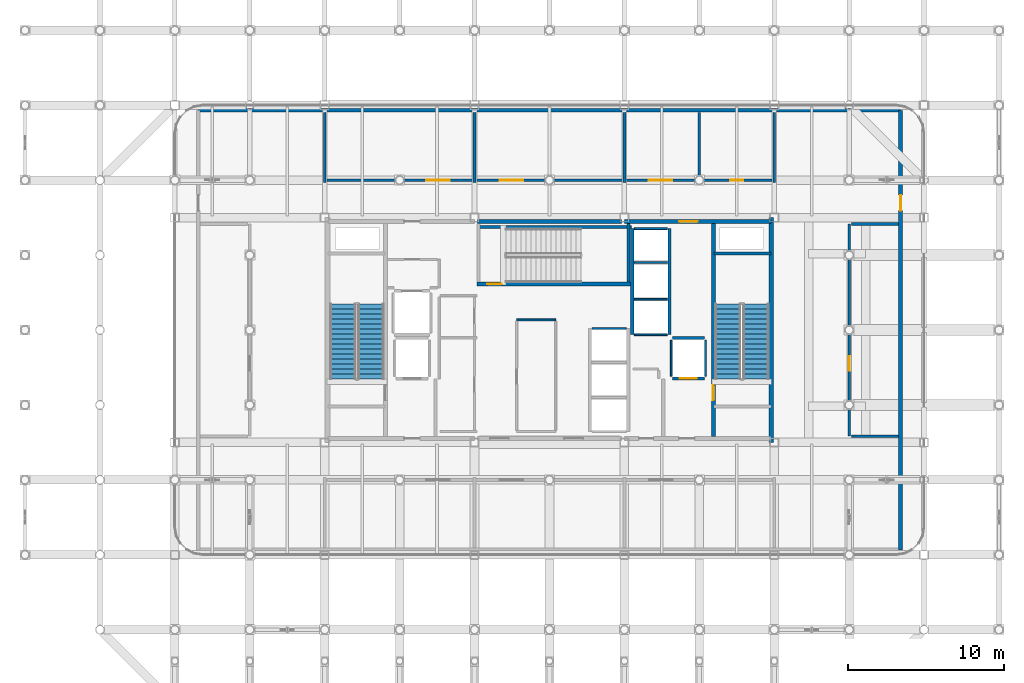
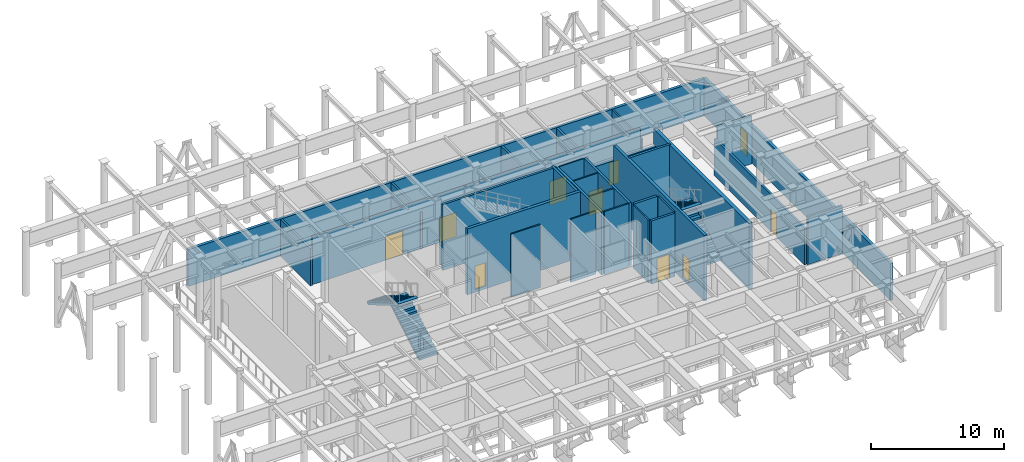
# One storey, part 15 of 20: 31 walls, 10 doors, 4 stair flights, 10 openings, 2 elements without a shape of their own.
"""IFC4 building model written with IfcOpenShell, lengths in metres."""

from ifc_helpers import new_model, si_unit, direction, frame, frame_2d, origin, place, context, subcontext, project, spatial, polyline, rectangle, outline, extrude, material, layer, layer_set, type_object, element, fill, aggregate, save


model = new_model("IFC4")

# Units and contexts
model_context = context("Model", 3, precision=1e-05, world=origin(), true_north=direction((0.0, 1.0)))
body_context = subcontext(model_context, "Body", "Model", "MODEL_VIEW")
ifc_project = project(units=[si_unit("LENGTHUNIT", "METRE"), si_unit("AREAUNIT", "SQUARE_METRE"), si_unit("VOLUMEUNIT", "CUBIC_METRE"), si_unit("PLANEANGLEUNIT", "RADIAN"), si_unit("MASSUNIT", "GRAM", prefix="KILO")], contexts=[model_context])

# Site, building, storey
site_placement = place(None, origin())
site = spatial("IfcSite", under=ifc_project, at=site_placement, CompositionType="ELEMENT")
building_placement = place(site_placement, origin())
building = spatial("IfcBuilding", under=site, at=building_placement, Name="Kallvorn Hotel Tower", CompositionType="ELEMENT")
storey_placement = place(building_placement, frame((0.0, 0.0, 276.199951171875)))
storey = spatial("IfcBuildingStorey", under=building, at=storey_placement, Name="L69", CompositionType="ELEMENT", Elevation=276.199951171875)

# Walls
ifc_material_1 = material(Name="Concrete C50/60", Category="concrete")
ifc_layer_1 = layer(ifc_material_1, 0.300048828125)
ifc_layer_set_1 = layer_set([ifc_layer_1], Name="WL_CORE_300")
wall_type_1 = type_object("IfcWallType", Name="WL_CORE_300", PredefinedType="SHEAR", material=ifc_layer_set_1)
wall_1_placement = place(storey_placement, frame((14.215087890625, -7.199951171875, -0.25), z_axis=(0.0, 0.0, 1.0), x_axis=(0.0, 1.0, 0.0)))
element("IfcWall", 1, at=wall_1_placement, inside=storey, type_object=wall_type_1, Name="L69 Core East Shear Wall", PredefinedType="SHEAR", context=body_context, shape_type="SweptSolid", body=[
    extrude(rectangle(XDim=14.39990234375, YDim=0.300048828125, at=frame_2d((7.199951171875, 0.0))), origin(), (0.0, 0.0, 1.0), 6.050048828125),
])
ifc_material_2 = material(Name="Fire-rated double-layer acoustic gypsum drywall EI 60")
ifc_layer_2 = layer(ifc_material_2, 0.179931640625)
ifc_layer_set_2 = layer_set([ifc_layer_2], Name="WL_CORR_180")
wall_type_2 = type_object("IfcWallType", Name="WL_CORR_180", PredefinedType="PARTITIONING", material=ifc_layer_set_2)
for number, where, z_axis, x_axis, name in (
    (2, (19.35009765625, -6.800048828125, 0.0), (0.0, 0.0, 1.0), (1.0, 0.0, 0.0), "L69 L69 Pressurised Fire Refuge Area East Partition"),
    (3, (19.35009765625, 6.800048828125, 0.0), (0.0, 0.0, 1.0), (1.0, 0.0, 0.0), "L69 L69 Pressurised Fire Refuge Area East Partition"),
):
    element("IfcWall", number, at=place(storey_placement, frame(where, z_axis=z_axis, x_axis=x_axis)), inside=storey, type_object=wall_type_2, Name=name, PredefinedType="PARTITIONING", context=body_context, shape_type="SweptSolid", body=[
        extrude(rectangle(XDim=3.014892578125, YDim=0.179931640625, at=frame_2d((1.50732421875, 0.0))), origin(), (0.0, 0.0, 1.0), 4.400146484375),
    ])

# Wall, openings, doors
wall_2_placement = place(storey_placement, frame((-14.25, 9.60009765625, 0.0), z_axis=(0.0, 0.0, 1.0), x_axis=(1.0, 0.0, 0.0)))
wall_2 = element("IfcWall", 4, at=wall_2_placement, inside=storey, type_object=wall_type_2, Name="L69 L69 Domestic and Fire Break-Tank Pump Room Partition", PredefinedType="PARTITIONING", context=body_context, shape_type="SweptSolid", body=[
    extrude(rectangle(XDim=28.5, YDim=0.179931640625, at=frame_2d((14.25, 0.0))), origin(), (0.0, 0.0, 1.0), 4.400146484375),
])
opening_1_placement = place(wall_2_placement, frame((6.35400390625, 0.0, 0.0)))
opening_1 = element("IfcOpeningElement", 5, at=opening_1_placement, cuts=wall_2, Name="Opening PD1", PredefinedType="OPENING", context=body_context, shape_type="SweptSolid", body=[
    extrude(rectangle(XDim=1.5, YDim=2.199951171875, at=frame_2d((0.75, 1.10009765625))), frame((0.0, 0.104736328125, 0.0), z_axis=(0.0, -1.0, 0.0), x_axis=(1.0, 0.0, 0.0)), (0.0, 0.0, 1.0), 0.2099609375),
])
opening_2_placement = place(wall_2_placement, frame((11.056396484375, 0.0, 0.0)))
opening_2 = element("IfcOpeningElement", 6, at=opening_2_placement, cuts=wall_2, Name="Opening PD1", PredefinedType="OPENING", context=body_context, shape_type="SweptSolid", body=[
    extrude(rectangle(XDim=1.5, YDim=2.199951171875, at=frame_2d((0.75, 1.10009765625))), frame((0.0, 0.104736328125, 0.0), z_axis=(0.0, -1.0, 0.0), x_axis=(1.0, 0.0, 0.0)), (0.0, 0.0, 1.0), 0.2099609375),
])
opening_3_placement = place(wall_2_placement, frame((20.6181640625, 0.0, 0.0)))
opening_3 = element("IfcOpeningElement", 7, at=opening_3_placement, cuts=wall_2, Name="Opening PD1", PredefinedType="OPENING", context=body_context, shape_type="SweptSolid", body=[
    extrude(rectangle(XDim=1.5, YDim=2.199951171875, at=frame_2d((0.75, 1.10009765625))), frame((0.0, 0.104736328125, 0.0), z_axis=(0.0, -1.0, 0.0), x_axis=(1.0, 0.0, 0.0)), (0.0, 0.0, 1.0), 0.2099609375),
])
opening_4_placement = place(wall_2_placement, frame((25.820068359375, 0.0, 0.0)))
opening_4 = element("IfcOpeningElement", 8, at=opening_4_placement, cuts=wall_2, Name="Opening BD-I", PredefinedType="OPENING", context=body_context, shape_type="SweptSolid", body=[
    extrude(rectangle(XDim=0.860107421875, YDim=2.10009765625, at=frame_2d((0.43017578125, 1.050048828125))), frame((0.0, 0.104736328125, 0.0), z_axis=(0.0, -1.0, 0.0), x_axis=(1.0, 0.0, 0.0)), (0.0, 0.0, 1.0), 0.2099609375),
])
ifc_material_3 = material(Name="Solid-core walnut veneer fire-rated timber door leaf", Category="wood")
door_type_1 = type_object("IfcDoorType", Name="DR_BATH_860x2100", OperationType="NOTDEFINED", PredefinedType="DOOR", material=ifc_material_3)
door_1_placement = place(opening_4_placement, origin())
door_1 = element("IfcDoor", 9, at=door_1_placement, inside=storey, type_object=door_type_1, Name="L69 L69 Refuge Accessible WC Door", OperationType="SINGLE_SWING_LEFT", OverallHeight=2.10009765625, OverallWidth=0.860107421875, PredefinedType="DOOR", context=body_context, shape_type="SweptSolid", body=[
    extrude(rectangle(XDim=0.860107421875, YDim=2.10009765625, at=frame_2d((0.43017578125, 1.050048828125))), frame((0.0, 0.02490234375, 0.0), z_axis=(0.0, -1.0, 0.0), x_axis=(1.0, 0.0, 0.0)), (0.0, 0.0, 1.0), 0.050048828125),
])
fill(opening_4, door_1)
ifc_material_4 = material(Name="Galvanised painted steel fire-rated door assembly", Category="steel")
door_type_2 = type_object("IfcDoorType", Name="DR_PLANT_1500x2200", OperationType="DOUBLE_DOOR_SINGLE_SWING", PredefinedType="DOOR", material=ifc_material_4)
door_2_placement = place(opening_1_placement, origin())
door_2 = element("IfcDoor", 10, at=door_2_placement, inside=storey, type_object=door_type_2, Name="L69 L69 Domestic and Fire Break-Tank Pump Room Door", OperationType="DOUBLE_DOOR_SINGLE_SWING", OverallHeight=2.199951171875, OverallWidth=1.5, PredefinedType="DOOR", context=body_context, shape_type="SweptSolid", body=[
    extrude(rectangle(XDim=1.5, YDim=2.199951171875, at=frame_2d((0.75, 1.10009765625))), frame((0.0, 0.02490234375, 0.0), z_axis=(0.0, -1.0, 0.0), x_axis=(1.0, 0.0, 0.0)), (0.0, 0.0, 1.0), 0.050048828125),
])
fill(opening_1, door_2)
door_3_placement = place(opening_2_placement, origin())
door_3 = element("IfcDoor", 11, at=door_3_placement, inside=storey, type_object=door_type_2, Name="L69 L69 Venturi Turbine Inverter and Switchgear Room Door", OperationType="DOUBLE_DOOR_SINGLE_SWING", OverallHeight=2.199951171875, OverallWidth=1.5, PredefinedType="DOOR", context=body_context, shape_type="SweptSolid", body=[
    extrude(rectangle(XDim=1.5, YDim=2.199951171875, at=frame_2d((0.75, 1.10009765625))), frame((0.0, 0.02490234375, 0.0), z_axis=(0.0, -1.0, 0.0), x_axis=(1.0, 0.0, 0.0)), (0.0, 0.0, 1.0), 0.050048828125),
])
fill(opening_2, door_3)
door_4_placement = place(opening_3_placement, origin())
door_4 = element("IfcDoor", 12, at=door_4_placement, inside=storey, type_object=door_type_2, Name="L69 L69 Smoke Control and BMS Plant Room Door", OperationType="DOUBLE_DOOR_SINGLE_SWING", OverallHeight=2.199951171875, OverallWidth=1.5, PredefinedType="DOOR", context=body_context, shape_type="SweptSolid", body=[
    extrude(rectangle(XDim=1.5, YDim=2.199951171875, at=frame_2d((0.75, 1.10009765625))), frame((0.0, 0.02490234375, 0.0), z_axis=(0.0, -1.0, 0.0), x_axis=(1.0, 0.0, 0.0)), (0.0, 0.0, 1.0), 0.050048828125),
])
fill(opening_3, door_4)

# Walls
for number, where, z_axis, x_axis, name in (
    (13, (-14.39990234375, 9.449951171875, 0.0), (0.0, 0.0, 1.0), (0.0, 1.0, 0.0), "L69 L69 Domestic and Fire Break-Tank Pump Room Partition"),
    (14, (-4.800048828125, 9.449951171875, 0.0), (0.0, 0.0, 1.0), (0.0, 1.0, 0.0), "L69 L69 Domestic and Fire Break-Tank Pump Room Partition"),
    (15, (4.800048828125, 9.449951171875, 0.0), (0.0, 0.0, 1.0), (0.0, 1.0, 0.0), "L69 L69 Smoke Control and BMS Plant Room Partition"),
    (16, (9.60009765625, 9.449951171875, 0.0), (0.0, 0.0, 1.0), (0.0, 1.0, 0.0), "L69 L69 Smoke Control and BMS Plant Room Partition"),
):
    element("IfcWall", number, at=place(storey_placement, frame(where, z_axis=z_axis, x_axis=x_axis)), inside=storey, type_object=wall_type_2, Name=name, PredefinedType="PARTITIONING", context=body_context, shape_type="SweptSolid", body=[
        extrude(rectangle(XDim=4.4951171875, YDim=0.179931640625, at=frame_2d((2.24755859375, 0.0))), origin(), (0.0, 0.0, 1.0), 3.400146484375),
    ])

# Wall, opening, door
wall_3_placement = place(storey_placement, frame((19.199951171875, -6.800048828125, 0.0), z_axis=(0.0, 0.0, 1.0), x_axis=(0.0, 1.0, 0.0)))
wall_3 = element("IfcWall", 17, at=wall_3_placement, inside=storey, type_object=wall_type_2, Name="L69 L69 Pressurised Fire Refuge Area East Partition", PredefinedType="PARTITIONING", context=body_context, shape_type="SweptSolid", body=[
    extrude(rectangle(XDim=13.60009765625, YDim=0.179931640625, at=frame_2d((6.800048828125, 0.0))), origin(), (0.0, 0.0, 1.0), 3.400146484375),
])
opening_5_placement = place(wall_3_placement, frame((4.20703125, 0.0, 0.0)))
opening_5 = element("IfcOpeningElement", 18, at=opening_5_placement, cuts=wall_3, Name="Opening SVD1", PredefinedType="OPENING", context=body_context, shape_type="SweptSolid", body=[
    extrude(rectangle(XDim=0.89990234375, YDim=2.10009765625, at=frame_2d((0.449951171875, 1.050048828125))), frame((0.0, 0.104736328125, 0.0), z_axis=(0.0, -1.0, 0.0), x_axis=(1.0, 0.0, 0.0)), (0.0, 0.0, 1.0), 0.2099609375),
])
ifc_material_5 = material(Name="Galvanised painted steel fire-rated door assembly", Category="steel")
door_type_3 = type_object("IfcDoorType", Name="DR_SERV_900x2100", OperationType="NOTDEFINED", PredefinedType="DOOR", material=ifc_material_5)
door_5_placement = place(opening_5_placement, origin())
door_5 = element("IfcDoor", 19, at=door_5_placement, inside=storey, type_object=door_type_3, Name="L69 L69 Pressurised Fire Refuge Area East Door", OperationType="SINGLE_SWING_RIGHT", OverallHeight=2.10009765625, OverallWidth=0.89990234375, PredefinedType="DOOR", context=body_context, shape_type="SweptSolid", body=[
    extrude(rectangle(XDim=0.89990234375, YDim=2.10009765625, at=frame_2d((0.449951171875, 1.050048828125))), frame((0.0, 0.02490234375, 0.0), z_axis=(0.0, -1.0, 0.0), x_axis=(1.0, 0.0, 0.0)), (0.0, 0.0, 1.0), 0.050048828125),
])
fill(opening_5, door_5)

# Wall
ifc_material_6 = material(Name="Precast basalt-clad insulated concrete wall C40/50", Category="masonry")
ifc_layer_3 = layer(ifc_material_6, 0.25)
ifc_layer_set_3 = layer_set([ifc_layer_3], Name="WL_EXT_HUB_250")
wall_type_3 = type_object("IfcWallType", Name="WL_EXT_HUB_250", PredefinedType="SOLIDWALL", material=ifc_layer_set_3)
wall_4_placement = place(storey_placement, frame((-22.5, 14.080078125, 0.0), z_axis=(0.0, 0.0, 1.0), x_axis=(1.0, 0.0, 0.0)))
element("IfcWall", 20, at=wall_4_placement, inside=storey, type_object=wall_type_3, Name="L69 Wind-Hub Acoustic Enclosure Wall N", PredefinedType="SOLIDWALL", context=body_context, shape_type="SweptSolid", body=[
    extrude(rectangle(XDim=45.0, YDim=0.25, at=frame_2d((22.5, 0.0))), origin(), (0.0, 0.0, 1.0), 3.400146484375),
])

# Wall, opening, door
wall_5_placement = place(storey_placement, frame((22.5, 14.080078125, 0.0), z_axis=(0.0, 0.0, 1.0), x_axis=(0.0, -1.0, 0.0)))
wall_5 = element("IfcWall", 21, at=wall_5_placement, inside=storey, type_object=wall_type_3, Name="L69 Wind-Hub Acoustic Enclosure Wall E", PredefinedType="SOLIDWALL", context=body_context, shape_type="SweptSolid", body=[
    extrude(rectangle(XDim=28.16015625, YDim=0.25, at=frame_2d((14.080078125, 0.0))), origin(), (0.0, 0.0, 1.0), 3.400146484375),
])
opening_6_placement = place(wall_5_placement, frame((5.429931640625, 0.0, 0.0)))
opening_6 = element("IfcOpeningElement", 22, at=opening_6_placement, cuts=wall_5, Name="Opening WDX1", PredefinedType="OPENING", context=body_context, shape_type="SweptSolid", body=[
    extrude(rectangle(XDim=1.0, YDim=2.14990234375, at=frame_2d((0.5, 1.074951171875))), frame((0.0, 0.139892578125, 0.0), z_axis=(0.0, -1.0, 0.0), x_axis=(1.0, 0.0, 0.0)), (0.0, 0.0, 1.0), 0.280029296875),
])
ifc_material_7 = material(Name="Galvanised painted steel S275JR balustrade", Category="steel")
door_type_4 = type_object("IfcDoorType", Name="DR_WIND_EXT_1000x2150", OperationType="NOTDEFINED", PredefinedType="DOOR", material=ifc_material_7)
door_6_placement = place(opening_6_placement, origin())
door_6 = element("IfcDoor", 23, at=door_6_placement, inside=storey, type_object=door_type_4, Name="L69 Turbine Deck Maintenance Access Door E", OperationType="SINGLE_SWING_RIGHT", OverallHeight=2.14990234375, OverallWidth=1.0, PredefinedType="DOOR", context=body_context, shape_type="SweptSolid", body=[
    extrude(rectangle(XDim=1.0, YDim=2.14990234375, at=frame_2d((0.5, 1.074951171875))), frame((0.0, 0.02490234375, 0.0), z_axis=(0.0, -1.0, 0.0), x_axis=(1.0, 0.0, 0.0)), (0.0, 0.0, 1.0), 0.050048828125),
])
fill(opening_6, door_6)

# Walls
ifc_material_8 = material(Name="Concrete C40/50", Category="concrete")
ifc_layer_4 = layer(ifc_material_8, 0.199951171875)
ifc_layer_set_4 = layer_set([ifc_layer_4], Name="WL_HOIST_200")
wall_type_4 = type_object("IfcWallType", Name="WL_HOIST_200", PredefinedType="SOLIDWALL", material=ifc_layer_set_4)
wall_6_placement = place(storey_placement, frame((10.550048828125, 4.89990234375, -0.25), z_axis=(0.0, 0.0, 1.0), x_axis=(1.0, 0.0, 0.0)))
element("IfcWall", 24, at=wall_6_placement, inside=storey, type_object=wall_type_4, Name="L69 Stair ST2 North Wall", PredefinedType="SOLIDWALL", context=body_context, shape_type="SweptSolid", body=[
    extrude(rectangle(XDim=3.64990234375, YDim=0.199951171875, at=frame_2d((1.824951171875, 0.0))), origin(), (0.0, 0.0, 1.0), 6.050048828125),
])
wall_7_placement = place(storey_placement, frame((-4.64990234375, 6.610107421875, -0.25), z_axis=(0.0, 0.0, 1.0), x_axis=(1.0, 0.0, 0.0)))
element("IfcWall", 25, at=wall_7_placement, inside=storey, type_object=wall_type_4, Name="L69 Stair ST3 Shaft North Wall", PredefinedType="SOLIDWALL", context=body_context, shape_type="SweptSolid", body=[
    extrude(rectangle(XDim=9.89990234375, YDim=0.199951171875, at=frame_2d((4.949951171875, 0.0))), origin(), (0.0, 0.0, 1.0), 6.050048828125),
])
wall_8_placement = place(storey_placement, frame((5.06005859375, 3.080078125, -0.25), z_axis=(0.0, 0.0, 1.0), x_axis=(0.0, 1.0, 0.0)))
element("IfcWall", 26, at=wall_8_placement, inside=storey, type_object=wall_type_4, Name="L69 Stair ST3 East Wall", PredefinedType="SOLIDWALL", context=body_context, shape_type="SweptSolid", body=[
    extrude(rectangle(XDim=3.739990234375, YDim=0.199951171875, at=frame_2d((1.8701171875, 0.0))), origin(), (0.0, 0.0, 1.0), 6.050048828125),
])
for number, where, z_axis, x_axis, name in (
    (27, (7.699951171875, -0.300048828125, 0.0), (0.0, 0.0, 1.0), (0.0, 1.0, 0.0), "L69 Lift Bank OBS Landing Wall"),
    (28, (5.300048828125, -0.300048828125, 0.0), (0.0, 0.0, 1.0), (0.0, 1.0, 0.0), "L69 Lift Bank OBS Rear Shaft Wall"),
):
    element("IfcWall", number, at=place(storey_placement, frame(where, z_axis=z_axis, x_axis=x_axis)), inside=storey, type_object=wall_type_4, Name=name, PredefinedType="SOLIDWALL", context=body_context, shape_type="SweptSolid", body=[
        extrude(rectangle(XDim=6.800048828125, YDim=0.199951171875, at=frame_2d((3.39990234375, 0.0))), origin(), (0.0, 0.0, 1.0), 5.800048828125),
    ])

# Wall, opening, door
wall_9_placement = place(storey_placement, frame((7.8798828125, -3.10009765625, 0.0), z_axis=(0.0, 0.0, 1.0), x_axis=(1.0, 0.0, 0.0)))
wall_9 = element("IfcWall", 29, at=wall_9_placement, inside=storey, type_object=wall_type_4, Name="L69 FL-2 Landing Wall", PredefinedType="SOLIDWALL", context=body_context, shape_type="SweptSolid", body=[
    extrude(rectangle(XDim=2.0400390625, YDim=0.199951171875, at=frame_2d((1.02001953125, 0.0))), origin(), (0.0, 0.0, 1.0), 5.800048828125),
])
opening_7_placement = place(wall_9_placement, frame((0.469970703125, 0.0, 0.0)))
opening_7 = element("IfcOpeningElement", 30, at=opening_7_placement, cuts=wall_9, Name="Opening LD-FL-2", PredefinedType="OPENING", context=body_context, shape_type="SweptSolid", body=[
    extrude(rectangle(XDim=1.10009765625, YDim=2.199951171875, at=frame_2d((0.550048828125, 1.10009765625))), frame((0.0, 0.114990234375, 0.0), z_axis=(0.0, -1.0, 0.0), x_axis=(1.0, 0.0, 0.0)), (0.0, 0.0, 1.0), 0.22998046875),
])
ifc_material_9 = material(Name="Brushed stainless-steel automatic sliding lift landing door", Category="steel")
door_type_5 = type_object("IfcDoorType", Name="LD_PASS_1100x2200", OperationType="SLIDING_TO_LEFT", PredefinedType="DOOR", material=ifc_material_9)
door_7_placement = place(opening_7_placement, origin())
door_7 = element("IfcDoor", 31, at=door_7_placement, inside=storey, type_object=door_type_5, Name="L69 Lift Landing Sliding Door LD-FL-2", OperationType="SLIDING_TO_LEFT", OverallHeight=2.199951171875, OverallWidth=1.10009765625, PredefinedType="DOOR", context=body_context, shape_type="SweptSolid", body=[
    extrude(rectangle(XDim=1.10009765625, YDim=2.199951171875, at=frame_2d((0.550048828125, 1.10009765625))), frame((0.0, 0.02490234375, 0.0), z_axis=(0.0, -1.0, 0.0), x_axis=(1.0, 0.0, 0.0)), (0.0, 0.0, 1.0), 0.050048828125),
])
fill(opening_7, door_7)

# Walls
wall_10_placement = place(storey_placement, frame((7.8798828125, -0.5, 0.0), z_axis=(0.0, 0.0, 1.0), x_axis=(1.0, 0.0, 0.0)))
element("IfcWall", 32, at=wall_10_placement, inside=storey, type_object=wall_type_4, Name="L69 FL-2 Rear Shaft Wall", PredefinedType="SOLIDWALL", context=body_context, shape_type="SweptSolid", body=[
    extrude(rectangle(XDim=2.0400390625, YDim=0.199951171875, at=frame_2d((1.02001953125, 0.0))), origin(), (0.0, 0.0, 1.0), 5.800048828125),
])
ifc_material_10 = material(Name="Fire-rated double-layer acoustic gypsum drywall EI 60")
ifc_layer_5 = layer(ifc_material_10, 0.1201171875)
ifc_layer_set_5 = layer_set([ifc_layer_5], Name="WL_INT_120")
wall_type_5 = type_object("IfcWallType", Name="WL_INT_120", PredefinedType="PARTITIONING", material=ifc_layer_set_5)
wall_11_placement = place(storey_placement, frame((2.739990234375, 0.10009765625, 0.0), z_axis=(0.0, 0.0, 1.0), x_axis=(1.0, 0.0, 0.0)))
element("IfcWall", 33, at=wall_11_placement, inside=storey, type_object=wall_type_5, Name="L69 PL-11 Hoistway Divider", PredefinedType="PARTITIONING", context=body_context, shape_type="SweptSolid", body=[
    extrude(rectangle(XDim=2.169921875, YDim=0.1201171875, at=frame_2d((1.0849609375, 0.0))), origin(), (0.0, 0.0, 1.0), 5.800048828125),
])
for number, where, z_axis, x_axis, name in (
    (34, (5.43994140625, -0.300048828125, 0.0), (0.0, 0.0, 1.0), (1.0, 0.0, 0.0), "L69 Lift Bank OBS South Closure Wall"),
    (35, (5.43994140625, 1.97509765625, 0.0), (0.0, 0.0, 1.0), (1.0, 0.0, 0.0), "L69 OB-01 Hoistway Divider"),
    (36, (5.43994140625, 4.324951171875, 0.0), (0.0, 0.0, 1.0), (1.0, 0.0, 0.0), "L69 OB-02 Hoistway Divider"),
    (37, (5.43994140625, 6.5, 0.0), (0.0, 0.0, 1.0), (1.0, 0.0, 0.0), "L69 OB-03 Hoistway Divider"),
):
    element("IfcWall", number, at=place(storey_placement, frame(where, z_axis=z_axis, x_axis=x_axis)), inside=storey, type_object=wall_type_5, Name=name, PredefinedType="PARTITIONING", context=body_context, shape_type="SweptSolid", body=[
        extrude(rectangle(XDim=2.1201171875, YDim=0.1201171875, at=frame_2d((1.06005859375, 0.0))), origin(), (0.0, 0.0, 1.0), 5.800048828125),
    ])
for number, where, z_axis, x_axis, name in (
    (38, (7.800048828125, -2.9599609375, 0.0), (0.0, 0.0, 1.0), (0.0, 1.0, 0.0), "L69 FL-2 West Shaft Wall"),
    (39, (10.0, -2.9599609375, 0.0), (0.0, 0.0, 1.0), (0.0, 1.0, 0.0), "L69 FL-2 East Shaft Wall"),
):
    element("IfcWall", number, at=place(storey_placement, frame(where, z_axis=z_axis, x_axis=x_axis)), inside=storey, type_object=wall_type_5, Name=name, PredefinedType="PARTITIONING", context=body_context, shape_type="SweptSolid", body=[
        extrude(rectangle(XDim=2.320068359375, YDim=0.1201171875, at=frame_2d((1.16015625, 0.0))), origin(), (0.0, 0.0, 1.0), 5.800048828125),
    ])
wall_12_placement = place(storey_placement, frame((-2.10009765625, 0.64990234375, 0.0), z_axis=(0.0, 0.0, 1.0), x_axis=(1.0, 0.0, 0.0)))
element("IfcWall", 40, at=wall_12_placement, inside=storey, type_object=wall_type_5, Name="L69 High-Zone IT and Tableware Reserve Room Partition", PredefinedType="PARTITIONING", context=body_context, shape_type="SweptSolid", body=[
    extrude(rectangle(XDim=2.5, YDim=0.1201171875, at=frame_2d((1.25, 0.0))), origin(), (0.0, 0.0, 1.0), 5.800048828125),
])
ifc_material_11 = material(Name="Moisture-resistant acoustic plumbing chase wall EI 60")
ifc_layer_6 = layer(ifc_material_11, 0.139892578125)
ifc_layer_set_6 = layer_set([ifc_layer_6], Name="WL_PLUMB_140")
wall_type_6 = type_object("IfcWallType", Name="WL_PLUMB_140", PredefinedType="PLUMBINGWALL", material=ifc_layer_set_6)
wall_13_placement = place(storey_placement, frame((14.39990234375, 9.449951171875, 0.0), z_axis=(0.0, 0.0, 1.0), x_axis=(0.0, 1.0, 0.0)))
element("IfcWall", 41, at=wall_13_placement, inside=storey, type_object=wall_type_6, Name="L69 L69 Refuge Accessible WC Partition", PredefinedType="PLUMBINGWALL", context=body_context, shape_type="SweptSolid", body=[
    extrude(rectangle(XDim=4.4951171875, YDim=0.139892578125, at=frame_2d((2.24755859375, 0.0))), origin(), (0.0, 0.0, 1.0), 3.400146484375),
])
ifc_material_12 = material(Name="Concrete C40/50", Category="concrete")
ifc_layer_7 = layer(ifc_material_12, 0.25)
ifc_layer_set_7 = layer_set([ifc_layer_7], Name="WL_SHAFT_250")
wall_type_7 = type_object("IfcWallType", Name="WL_SHAFT_250", PredefinedType="SOLIDWALL", material=ifc_layer_set_7)
wall_14_placement = place(storey_placement, frame((-4.60009765625, 6.949951171875, 0.0), z_axis=(0.0, 0.0, 1.0), x_axis=(1.0, 0.0, 0.0)))
element("IfcWall", 42, at=wall_14_placement, inside=storey, type_object=wall_type_7, Name="L69 Core North-Central Wall", PredefinedType="SOLIDWALL", context=body_context, shape_type="SweptSolid", body=[
    extrude(rectangle(XDim=9.2001953125, YDim=0.25, at=frame_2d((4.60009765625, 0.0))), origin(), (0.0, 0.0, 1.0), 4.400146484375),
])

# Wall, opening, door
wall_15_placement = place(storey_placement, frame((4.800048828125, 6.949951171875, 0.0), z_axis=(0.0, 0.0, 1.0), x_axis=(1.0, 0.0, 0.0)))
wall_15 = element("IfcWall", 43, at=wall_15_placement, inside=storey, type_object=wall_type_7, Name="L69 Core North-East Wall", PredefinedType="SOLIDWALL", context=body_context, shape_type="SweptSolid", body=[
    extrude(rectangle(XDim=9.39990234375, YDim=0.25, at=frame_2d((4.699951171875, 0.0))), origin(), (0.0, 0.0, 1.0), 4.400146484375),
])
opening_8_placement = place(wall_15_placement, frame((3.5, 0.0, 0.0)))
opening_8 = element("IfcOpeningElement", 44, at=opening_8_placement, cuts=wall_15, Name="Opening FD2", PredefinedType="OPENING", context=body_context, shape_type="SweptSolid", body=[
    extrude(rectangle(XDim=1.199951171875, YDim=2.199951171875, at=frame_2d((0.60009765625, 1.10009765625))), frame((0.0, 0.139892578125, 0.0), z_axis=(0.0, -1.0, 0.0), x_axis=(1.0, 0.0, 0.0)), (0.0, 0.0, 1.0), 0.280029296875),
])
ifc_material_13 = material(Name="Galvanised painted steel fire-rated door assembly", Category="steel")
door_type_6 = type_object("IfcDoorType", Name="DR_LOBBY_1200x2200", OperationType="DOUBLE_DOOR_SINGLE_SWING", PredefinedType="DOOR", material=ifc_material_13)
door_8_placement = place(opening_8_placement, origin())
door_8 = element("IfcDoor", 45, at=door_8_placement, inside=storey, type_object=door_type_6, Name="L69 Observatory Shuttle Lobby Door", OperationType="DOUBLE_DOOR_SINGLE_SWING", OverallHeight=2.199951171875, OverallWidth=1.199951171875, PredefinedType="DOOR", context=body_context, shape_type="SweptSolid", body=[
    extrude(rectangle(XDim=1.199951171875, YDim=2.199951171875, at=frame_2d((0.60009765625, 1.10009765625))), frame((0.0, 0.02490234375, 0.0), z_axis=(0.0, -1.0, 0.0), x_axis=(1.0, 0.0, 0.0)), (0.0, 0.0, 1.0), 0.050048828125),
])
fill(opening_8, door_8)

wall_16_placement = place(storey_placement, frame((10.5, -6.820068359375, -0.25), z_axis=(0.0, 0.0, 1.0), x_axis=(0.0, 1.0, 0.0)))
wall_16 = element("IfcWall", 46, at=wall_16_placement, inside=storey, type_object=wall_type_7, Name="L69 Stair ST2 Shaft Wall", PredefinedType="SOLIDWALL", context=body_context, shape_type="SweptSolid", body=[
    extrude(rectangle(XDim=13.64013671875, YDim=0.25, at=frame_2d((6.820068359375, 0.0))), origin(), (0.0, 0.0, 1.0), 6.050048828125),
])
opening_9_placement = place(wall_16_placement, frame((2.320068359375, 0.0, 0.25)))
opening_9 = element("IfcOpeningElement", 47, at=opening_9_placement, cuts=wall_16, Name="Opening SD1", PredefinedType="OPENING", context=body_context, shape_type="SweptSolid", body=[
    extrude(rectangle(XDim=0.949951171875, YDim=2.14990234375, at=frame_2d((0.47509765625, 1.074951171875))), frame((0.0, 0.139892578125, 0.0), z_axis=(0.0, -1.0, 0.0), x_axis=(1.0, 0.0, 0.0)), (0.0, 0.0, 1.0), 0.280029296875),
])
ifc_material_14 = material(Name="Galvanised painted steel fire-rated door assembly", Category="steel")
door_type_7 = type_object("IfcDoorType", Name="DR_STAIR_950x2150", OperationType="NOTDEFINED", PredefinedType="DOOR", material=ifc_material_14)
door_9_placement = place(opening_9_placement, origin())
door_9 = element("IfcDoor", 48, at=door_9_placement, inside=storey, type_object=door_type_7, Name="L69 Exit Stair ST2 Fire Door", OperationType="SINGLE_SWING_RIGHT", OverallHeight=2.14990234375, OverallWidth=0.949951171875, PredefinedType="DOOR", context=body_context, shape_type="SweptSolid", body=[
    extrude(rectangle(XDim=0.949951171875, YDim=2.14990234375, at=frame_2d((0.47509765625, 1.074951171875))), frame((0.0, 0.02490234375, 0.0), z_axis=(0.0, -1.0, 0.0), x_axis=(1.0, 0.0, 0.0)), (0.0, 0.0, 1.0), 0.050048828125),
])
fill(opening_9, door_9)

wall_17_placement = place(storey_placement, frame((-4.64990234375, 2.949951171875, -0.25), z_axis=(0.0, 0.0, 1.0), x_axis=(1.0, 0.0, 0.0)))
wall_17 = element("IfcWall", 49, at=wall_17_placement, inside=storey, type_object=wall_type_7, Name="L69 Stair ST3 Shaft South Wall", PredefinedType="SOLIDWALL", context=body_context, shape_type="SweptSolid", body=[
    extrude(rectangle(XDim=9.89990234375, YDim=0.25, at=frame_2d((4.949951171875, 0.0))), origin(), (0.0, 0.0, 1.0), 6.050048828125),
])
opening_10_placement = place(wall_17_placement, frame((0.64990234375, 0.0, 0.25)))
opening_10 = element("IfcOpeningElement", 50, at=opening_10_placement, cuts=wall_17, Name="Opening SD1", PredefinedType="OPENING", context=body_context, shape_type="SweptSolid", body=[
    extrude(rectangle(XDim=0.949951171875, YDim=2.14990234375, at=frame_2d((0.47509765625, 1.074951171875))), frame((0.0, 0.139892578125, 0.0), z_axis=(0.0, -1.0, 0.0), x_axis=(1.0, 0.0, 0.0)), (0.0, 0.0, 1.0), 0.280029296875),
])
door_10_placement = place(opening_10_placement, origin())
door_10 = element("IfcDoor", 51, at=door_10_placement, inside=storey, type_object=door_type_7, Name="L69 Exit Stair ST3 Fire Door", OperationType="SINGLE_SWING_LEFT", OverallHeight=2.14990234375, OverallWidth=0.949951171875, PredefinedType="DOOR", context=body_context, shape_type="SweptSolid", body=[
    extrude(rectangle(XDim=0.949951171875, YDim=2.14990234375, at=frame_2d((0.47509765625, 1.074951171875))), frame((0.0, 0.02490234375, 0.0), z_axis=(0.0, -1.0, 0.0), x_axis=(1.0, 0.0, 0.0)), (0.0, 0.0, 1.0), 0.050048828125),
])
fill(opening_10, door_10)

# Stair, stair flights
ifc_material_15 = material(Name="Precast concrete C40/50", Category="concrete")
stair_type = type_object("IfcStairType", Name="STR_CORE_DOGLEG", PredefinedType="HALF_TURN_STAIR", material=ifc_material_15)
stair_1_placement = place(storey_placement, origin())
stair_1 = element("IfcStair", 52, at=stair_1_placement, inside=storey, type_object=stair_type, Name="L69 Exit stair ST1", PredefinedType="HALF_TURN_STAIR")
ifc_material_16 = material(Name="Precast concrete C40/50", Category="concrete")
stair_flight_type = type_object("IfcStairFlightType", Name="FLT_CORE_1660", PredefinedType="STRAIGHT", material=ifc_material_16)
stair_flight_1_placement = place(storey_placement, frame((-11.429931640625, -3.139892578125, 0.0), z_axis=(0.0, 0.0, 1.0), x_axis=(0.0, 1.0, 0.0)))
stair_flight_1 = element("IfcStairFlight", 53, at=stair_flight_1_placement, type_object=stair_flight_type, Name="ST1 flight 1", NumberOfRisers=16, NumberOfTreads=15, PredefinedType="STRAIGHT", RiserHeight=0.1875, TreadLength=0.32, context=body_context, shape_type="SweptSolid", body=[
    extrude(outline(polyline([(0.0, 0.0), (0.0, 0.1875), (0.320068359375, 0.1875), (0.320068359375, 0.375), (0.639892578125, 0.375), (0.639892578125, 0.5625), (0.9599609375, 0.5625), (0.9599609375, 0.75), (1.280029296875, 0.75), (1.280029296875, 0.9375), (1.60009765625, 0.9375), (1.60009765625, 1.125), (1.919921875, 1.125), (1.919921875, 1.3125), (2.239990234375, 1.3125), (2.239990234375, 1.5), (2.56005859375, 1.5), (2.56005859375, 1.6875), (2.8798828125, 1.6875), (2.8798828125, 1.875), (3.199951171875, 1.875), (3.199951171875, 2.0625), (3.52001953125, 2.0625), (3.52001953125, 2.25), (3.840087890625, 2.25), (3.840087890625, 2.4375), (4.159912109375, 2.4375), (4.159912109375, 2.625), (4.47998046875, 2.625), (4.47998046875, 2.8125), (4.800048828125, 2.8125), (4.800048828125, 3.0), (4.800048828125, 2.638671875), (0.296630859375, 0.0), (0.0, 0.0)])), frame((0.0, 0.830078125, 0.0), z_axis=(0.0, -1.0, 0.0), x_axis=(1.0, 0.0, 0.0)), (0.0, 0.0, 1.0), 1.659912109375),
])
stair_flight_2_placement = place(storey_placement, frame((-13.22998046875, 1.659912109375, 3.0), z_axis=(0.0, 0.0, 1.0), x_axis=(0.0, -1.0, 0.0)))
stair_flight_2 = element("IfcStairFlight", 54, at=stair_flight_2_placement, type_object=stair_flight_type, Name="ST1 flight 2", NumberOfRisers=16, NumberOfTreads=15, PredefinedType="STRAIGHT", RiserHeight=0.1875, TreadLength=0.32, context=body_context, shape_type="SweptSolid", body=[
    extrude(outline(polyline([(0.0, 0.0), (0.0, 0.1875), (0.320068359375, 0.1875), (0.320068359375, 0.375), (0.639892578125, 0.375), (0.639892578125, 0.5625), (0.9599609375, 0.5625), (0.9599609375, 0.75), (1.280029296875, 0.75), (1.280029296875, 0.9375), (1.60009765625, 0.9375), (1.60009765625, 1.125), (1.919921875, 1.125), (1.919921875, 1.3125), (2.239990234375, 1.3125), (2.239990234375, 1.5), (2.56005859375, 1.5), (2.56005859375, 1.6875), (2.8798828125, 1.6875), (2.8798828125, 1.875), (3.199951171875, 1.875), (3.199951171875, 2.0625), (3.52001953125, 2.0625), (3.52001953125, 2.25), (3.840087890625, 2.25), (3.840087890625, 2.4375), (4.159912109375, 2.4375), (4.159912109375, 2.625), (4.47998046875, 2.625), (4.47998046875, 2.8125), (4.800048828125, 2.8125), (4.800048828125, 3.0), (4.800048828125, 2.638671875), (0.296630859375, 0.0), (0.0, 0.0)])), frame((0.0, 0.830078125, 0.0), z_axis=(0.0, -1.0, 0.0), x_axis=(1.0, 0.0, 0.0)), (0.0, 0.0, 1.0), 1.659912109375),
])
aggregate(stair_1, [stair_flight_1, stair_flight_2])

stair_2_placement = place(storey_placement, origin())
stair_2 = element("IfcStair", 55, at=stair_2_placement, inside=storey, type_object=stair_type, Name="L69 Exit stair ST2", PredefinedType="HALF_TURN_STAIR")
stair_flight_3_placement = place(storey_placement, frame((13.22998046875, -3.139892578125, 0.0), z_axis=(0.0, 0.0, 1.0), x_axis=(0.0, 1.0, 0.0)))
stair_flight_3 = element("IfcStairFlight", 56, at=stair_flight_3_placement, type_object=stair_flight_type, Name="ST2 flight 1", NumberOfRisers=16, NumberOfTreads=15, PredefinedType="STRAIGHT", RiserHeight=0.1875, TreadLength=0.32, context=body_context, shape_type="SweptSolid", body=[
    extrude(outline(polyline([(0.0, 0.0), (0.0, 0.1875), (0.320068359375, 0.1875), (0.320068359375, 0.375), (0.639892578125, 0.375), (0.639892578125, 0.5625), (0.9599609375, 0.5625), (0.9599609375, 0.75), (1.280029296875, 0.75), (1.280029296875, 0.9375), (1.60009765625, 0.9375), (1.60009765625, 1.125), (1.919921875, 1.125), (1.919921875, 1.3125), (2.239990234375, 1.3125), (2.239990234375, 1.5), (2.56005859375, 1.5), (2.56005859375, 1.6875), (2.8798828125, 1.6875), (2.8798828125, 1.875), (3.199951171875, 1.875), (3.199951171875, 2.0625), (3.52001953125, 2.0625), (3.52001953125, 2.25), (3.840087890625, 2.25), (3.840087890625, 2.4375), (4.159912109375, 2.4375), (4.159912109375, 2.625), (4.47998046875, 2.625), (4.47998046875, 2.8125), (4.800048828125, 2.8125), (4.800048828125, 3.0), (4.800048828125, 2.638671875), (0.296630859375, 0.0), (0.0, 0.0)])), frame((0.0, 0.830078125, 0.0), z_axis=(0.0, -1.0, 0.0), x_axis=(1.0, 0.0, 0.0)), (0.0, 0.0, 1.0), 1.659912109375),
])
stair_flight_4_placement = place(storey_placement, frame((11.429931640625, 1.659912109375, 3.0), z_axis=(0.0, 0.0, 1.0), x_axis=(0.0, -1.0, 0.0)))
stair_flight_4 = element("IfcStairFlight", 57, at=stair_flight_4_placement, type_object=stair_flight_type, Name="ST2 flight 2", NumberOfRisers=16, NumberOfTreads=15, PredefinedType="STRAIGHT", RiserHeight=0.1875, TreadLength=0.32, context=body_context, shape_type="SweptSolid", body=[
    extrude(outline(polyline([(0.0, 0.0), (0.0, 0.1875), (0.320068359375, 0.1875), (0.320068359375, 0.375), (0.639892578125, 0.375), (0.639892578125, 0.5625), (0.9599609375, 0.5625), (0.9599609375, 0.75), (1.280029296875, 0.75), (1.280029296875, 0.9375), (1.60009765625, 0.9375), (1.60009765625, 1.125), (1.919921875, 1.125), (1.919921875, 1.3125), (2.239990234375, 1.3125), (2.239990234375, 1.5), (2.56005859375, 1.5), (2.56005859375, 1.6875), (2.8798828125, 1.6875), (2.8798828125, 1.875), (3.199951171875, 1.875), (3.199951171875, 2.0625), (3.52001953125, 2.0625), (3.52001953125, 2.25), (3.840087890625, 2.25), (3.840087890625, 2.4375), (4.159912109375, 2.4375), (4.159912109375, 2.625), (4.47998046875, 2.625), (4.47998046875, 2.8125), (4.800048828125, 2.8125), (4.800048828125, 3.0), (4.800048828125, 2.638671875), (0.296630859375, 0.0), (0.0, 0.0)])), frame((0.0, 0.830078125, 0.0), z_axis=(0.0, -1.0, 0.0), x_axis=(1.0, 0.0, 0.0)), (0.0, 0.0, 1.0), 1.659912109375),
])
aggregate(stair_2, [stair_flight_3, stair_flight_4])

save(model, "model.ifc")
